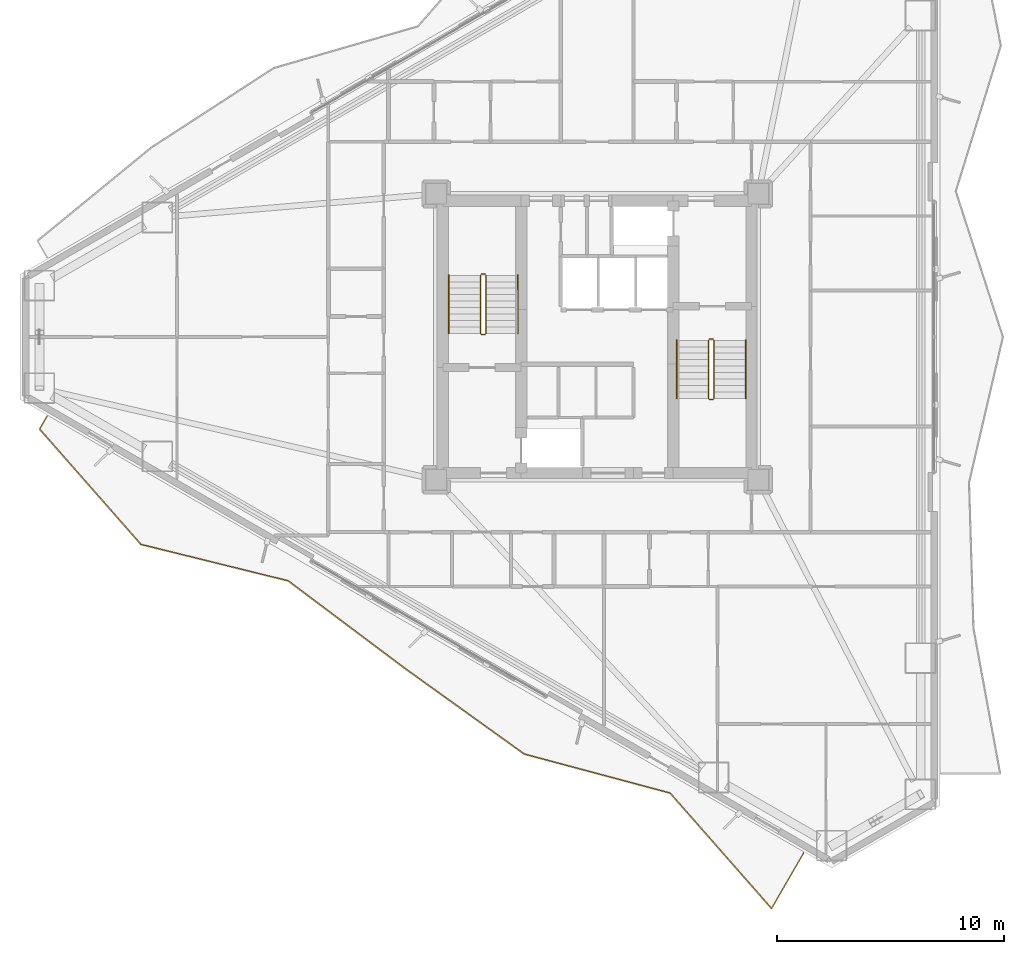
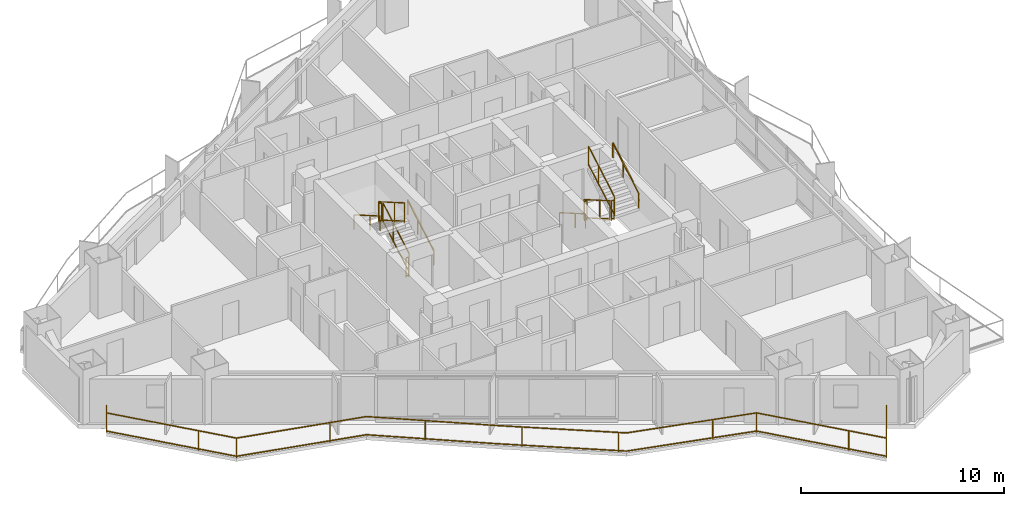
# One storey, part 18 of 19: 13 railings.
"""IFC4 building model written with IfcOpenShell, lengths in metres."""

from ifc_helpers import new_model, si_unit, direction, frame, origin, origin_2d, place, context, subcontext, project, spatial, rectangle, extrude, material, type_object, element, save


model = new_model("IFC4")

# Units and contexts
model_context = context("Model", 3, precision=1e-05, world=origin(), true_north=direction((0.0, 1.0)))
body_context = subcontext(model_context, "Body", "Model", "MODEL_VIEW")
ifc_project = project(units=[si_unit("LENGTHUNIT", "METRE"), si_unit("AREAUNIT", "SQUARE_METRE"), si_unit("VOLUMEUNIT", "CUBIC_METRE"), si_unit("PLANEANGLEUNIT", "RADIAN"), si_unit("MASSUNIT", "GRAM", prefix="KILO")], contexts=[model_context])

# Site, building, storey
site_placement = place(None, origin())
site = spatial("IfcSite", under=ifc_project, at=site_placement, CompositionType="ELEMENT")
building_placement = place(site_placement, origin())
building = spatial("IfcBuilding", under=site, at=building_placement, Name="Mersakhor Tower and Convention Hall", CompositionType="ELEMENT")
storey_placement = place(building_placement, frame((0.0, 0.0, 48.89990234375)))
storey = spatial("IfcBuildingStorey", under=building, at=storey_placement, Name="L13", CompositionType="ELEMENT", Elevation=48.89990234375)

# Railings
ifc_material_1 = material(Name="Powder-coated galvanised steel and laminated glass balustrade", Category="steel")
railing_type_1 = type_object("IfcRailingType", Name="RL-BAL-1200", PredefinedType="BALUSTRADE", material=ifc_material_1)
railing_1_placement = place(storey_placement, frame((4.75048828125, 23.256591796875, 0.0)))
element("IfcRailing", 1, at=railing_1_placement, inside=storey, type_object=railing_type_1, Name="L13 Sinusoidal Balcony Balustrade F3", PredefinedType="BALUSTRADE", context=body_context, shape_type="SweptSolid", body=[
    extrude(rectangle(XDim=0.048095703125, YDim=0.048095703125, at=origin_2d()), frame((0.0, 0.0, 1.17578125), z_axis=(-0.500058503878, -0.86599162392, 0.0), x_axis=(0.86599162392, -0.500058503878, 0.0)), (0.0, 0.0, 1.0), 0.64990234375),
    extrude(rectangle(XDim=0.048095703125, YDim=0.048095703125, at=origin_2d()), frame((0.0, 0.0, 0.080078125), z_axis=(-0.500058503878, -0.86599162392, 0.0), x_axis=(0.86599162392, -0.500058503878, 0.0)), (0.0, 0.0, 1.0), 0.64990234375),
    extrude(rectangle(XDim=0.048095703125, YDim=0.048095703125, at=origin_2d()), frame((-0.324951171875, -0.562744140625, 1.17578125), z_axis=(0.6602427576, -0.75105226252, 0.0), x_axis=(0.75105226252, 0.6602427576, 0.0)), (0.0, 0.0, 1.0), 6.77490234375),
    extrude(rectangle(XDim=0.048095703125, YDim=0.048095703125, at=origin_2d()), frame((-0.324951171875, -0.562744140625, 0.080078125), z_axis=(0.6602427576, -0.75105226252, 0.0), x_axis=(0.75105226252, 0.6602427576, 0.0)), (0.0, 0.0, 1.0), 6.77490234375),
    extrude(rectangle(XDim=0.048095703125, YDim=0.048095703125, at=origin_2d()), frame((4.148193359375, -5.651123046875, 1.17578125), z_axis=(0.97079249637, -0.239920672288, 0.0), x_axis=(0.239920672288, 0.97079249637, 0.0)), (0.0, 0.0, 1.0), 6.680419921875),
    extrude(rectangle(XDim=0.048095703125, YDim=0.048095703125, at=origin_2d()), frame((4.148193359375, -5.651123046875, 0.080078125), z_axis=(0.97079249637, -0.239920672288, 0.0), x_axis=(0.239920672288, 0.97079249637, 0.0)), (0.0, 0.0, 1.0), 6.680419921875),
    extrude(rectangle(XDim=0.048095703125, YDim=0.048095703125, at=origin_2d()), frame((10.633544921875, -7.25390625, 1.17578125), z_axis=(0.800086099683, -0.59988518326, 0.0), x_axis=(0.59988518326, 0.800086099683, 0.0)), (0.0, 0.0, 1.0), 6.46435546875),
    extrude(rectangle(XDim=0.048095703125, YDim=0.048095703125, at=origin_2d()), frame((10.633544921875, -7.25390625, 0.080078125), z_axis=(0.800086099683, -0.59988518326, 0.0), x_axis=(0.59988518326, 0.800086099683, 0.0)), (0.0, 0.0, 1.0), 6.46435546875),
    extrude(rectangle(XDim=0.048095703125, YDim=0.048095703125, at=origin_2d()), frame((15.8056640625, -11.1318359375, 1.17578125), z_axis=(0.812539809748, -0.582905702129, 0.0), x_axis=(0.582905702129, 0.812539809748, 0.0)), (0.0, 0.0, 1.0), 6.44921875),
    extrude(rectangle(XDim=0.048095703125, YDim=0.048095703125, at=origin_2d()), frame((15.8056640625, -11.1318359375, 0.080078125), z_axis=(0.812539809748, -0.582905702129, 0.0), x_axis=(0.582905702129, 0.812539809748, 0.0)), (0.0, 0.0, 1.0), 6.44921875),
    extrude(rectangle(XDim=0.048095703125, YDim=0.048095703125, at=origin_2d()), frame((21.0458984375, -14.89111328125, 1.17578125), z_axis=(0.966054215324, -0.258339414442, 0.0), x_axis=(0.258339414442, 0.966054215324, 0.0)), (0.0, 0.0, 1.0), 6.6455078125),
    extrude(rectangle(XDim=0.048095703125, YDim=0.048095703125, at=origin_2d()), frame((21.0458984375, -14.89111328125, 0.080078125), z_axis=(0.966054215324, -0.258339414442, 0.0), x_axis=(0.258339414442, 0.966054215324, 0.0)), (0.0, 0.0, 1.0), 6.6455078125),
    extrude(rectangle(XDim=0.048095703125, YDim=0.048095703125, at=origin_2d()), frame((27.4658203125, -16.60791015625, 1.17578125), z_axis=(0.660260627075, -0.751036553262, 0.0), x_axis=(0.751036553262, 0.660260627075, 0.0)), (0.0, 0.0, 1.0), 6.77490234375),
    extrude(rectangle(XDim=0.048095703125, YDim=0.048095703125, at=origin_2d()), frame((27.4658203125, -16.60791015625, 0.080078125), z_axis=(0.660260627075, -0.751036553262, 0.0), x_axis=(0.751036553262, 0.660260627075, 0.0)), (0.0, 0.0, 1.0), 6.77490234375),
    extrude(rectangle(XDim=0.048095703125, YDim=0.048095703125, at=origin_2d()), frame((31.93896484375, -21.696044921875, 1.17578125), z_axis=(0.500049687543, 0.865996714767, 0.0), x_axis=(-0.865996714767, 0.500049687543, 0.0)), (0.0, 0.0, 1.0), 2.820068359375),
    extrude(rectangle(XDim=0.048095703125, YDim=0.048095703125, at=origin_2d()), frame((31.93896484375, -21.696044921875, 0.080078125), z_axis=(0.500049687543, 0.865996714767, 0.0), x_axis=(-0.865996714767, 0.500049687543, 0.0)), (0.0, 0.0, 1.0), 2.820068359375),
    extrude(rectangle(XDim=0.0419921875, YDim=0.0419921875, at=origin_2d()), origin(), (0.0, 0.0, 1.0), 1.15185546875),
    extrude(rectangle(XDim=0.0419921875, YDim=0.0419921875, at=origin_2d()), frame((-0.324951171875, -0.562744140625, 0.0)), (0.0, 0.0, 1.0), 1.15185546875),
    extrude(rectangle(XDim=0.0419921875, YDim=0.0419921875, at=origin_2d()), frame((2.84423828125, -4.167724609375, 0.0)), (0.0, 0.0, 1.0), 1.15185546875),
    extrude(rectangle(XDim=0.0419921875, YDim=0.0419921875, at=origin_2d()), frame((4.148193359375, -5.651123046875, 0.0)), (0.0, 0.0, 1.0), 1.15185546875),
    extrude(rectangle(XDim=0.0419921875, YDim=0.0419921875, at=origin_2d()), frame((8.80810546875, -6.802734375, 0.0)), (0.0, 0.0, 1.0), 1.15185546875),
    extrude(rectangle(XDim=0.0419921875, YDim=0.0419921875, at=origin_2d()), frame((12.969482421875, -9.00537109375, 0.0)), (0.0, 0.0, 1.0), 1.15185546875),
    extrude(rectangle(XDim=0.0419921875, YDim=0.0419921875, at=origin_2d()), frame((16.825439453125, -11.863525390625, 0.0)), (0.0, 0.0, 1.0), 1.15185546875),
    extrude(rectangle(XDim=0.0419921875, YDim=0.0419921875, at=origin_2d()), frame((20.7255859375, -14.661376953125, 0.0)), (0.0, 0.0, 1.0), 1.15185546875),
    extrude(rectangle(XDim=0.0419921875, YDim=0.0419921875, at=origin_2d()), frame((25.30224609375, -16.029296875, 0.0)), (0.0, 0.0, 1.0), 1.15185546875),
    extrude(rectangle(XDim=0.0419921875, YDim=0.0419921875, at=origin_2d()), frame((27.4658203125, -16.60791015625, 0.0)), (0.0, 0.0, 1.0), 1.15185546875),
    extrude(rectangle(XDim=0.0419921875, YDim=0.0419921875, at=origin_2d()), frame((30.635009765625, -20.212890625, 0.0)), (0.0, 0.0, 1.0), 1.15185546875),
    extrude(rectangle(XDim=0.0419921875, YDim=0.0419921875, at=origin_2d()), frame((31.93896484375, -21.696044921875, 0.0)), (0.0, 0.0, 1.0), 1.15185546875),
    extrude(rectangle(XDim=0.0419921875, YDim=0.0419921875, at=origin_2d()), frame((33.34912109375, -19.25390625, 0.0)), (0.0, 0.0, 1.0), 1.15185546875),
])
ifc_material_2 = material(Name="Brushed stainless steel handrail", Category="steel")
railing_type_2 = type_object("IfcRailingType", Name="RL-HR-900", PredefinedType="HANDRAIL", material=ifc_material_2)
railing_2_placement = place(storey_placement, frame((25.5, 26.89990234375, 0.1650390625)))
element("IfcRailing", 2, at=railing_2_placement, inside=storey, type_object=railing_type_2, Name="L13 ST-1 stair handrail 1", PredefinedType="HANDRAIL", context=body_context, shape_type="SweptSolid", body=[
    extrude(rectangle(XDim=0.048095703125, YDim=0.048095703125, at=origin_2d()), frame((0.0, 0.0, 0.8759765625), z_axis=(0.0, 0.865426285481, 0.501036270542), x_axis=(-1.0, 0.0, 0.0)), (0.0, 0.0, 1.0), 2.964111328125),
    extrude(rectangle(XDim=0.0419921875, YDim=0.0419921875, at=origin_2d()), origin(), (0.0, 0.0, 1.0), 0.851806640625),
    extrude(rectangle(XDim=0.0419921875, YDim=0.0419921875, at=origin_2d()), frame((0.0, 1.557861328125, 0.90185546875)), (0.0, 0.0, 1.0), 0.851806640625),
    extrude(rectangle(XDim=0.0419921875, YDim=0.0419921875, at=origin_2d()), frame((0.0, 2.565185546875, 1.485107421875)), (0.0, 0.0, 1.0), 0.851806640625),
])
railing_3_placement = place(storey_placement, frame((22.449951171875, 29.465087890625, 1.815185546875)))
element("IfcRailing", 3, at=railing_3_placement, inside=storey, type_object=railing_type_2, Name="L13 ST-1 stair handrail 2", PredefinedType="HANDRAIL", context=body_context, shape_type="SweptSolid", body=[
    extrude(rectangle(XDim=0.048095703125, YDim=0.048095703125, at=origin_2d()), frame((0.0, 0.0, 0.8759765625), z_axis=(0.0, -0.865461999751, 0.500974577186), x_axis=(1.0, 0.0, 0.0)), (0.0, 0.0, 1.0), 2.9638671875),
    extrude(rectangle(XDim=0.0419921875, YDim=0.0419921875, at=origin_2d()), origin(), (0.0, 0.0, 1.0), 0.851806640625),
    extrude(rectangle(XDim=0.0419921875, YDim=0.0419921875, at=origin_2d()), frame((0.0, -1.557861328125, 0.90185546875)), (0.0, 0.0, 1.0), 0.851806640625),
    extrude(rectangle(XDim=0.0419921875, YDim=0.0419921875, at=origin_2d()), frame((0.0, -2.565185546875, 1.48486328125)), (0.0, 0.0, 1.0), 0.851806640625),
])
railing_4_placement = place(storey_placement, frame((32.5, 26.60009765625, 0.1650390625)))
element("IfcRailing", 4, at=railing_4_placement, inside=storey, type_object=railing_type_2, Name="L13 ST-2 stair handrail 1", PredefinedType="HANDRAIL", context=body_context, shape_type="SweptSolid", body=[
    extrude(rectangle(XDim=0.048095703125, YDim=0.048095703125, at=origin_2d()), frame((0.0, 0.0, 0.8759765625), z_axis=(0.0, -0.865426285481, 0.501036270542), x_axis=(1.0, 0.0, 0.0)), (0.0, 0.0, 1.0), 2.964111328125),
    extrude(rectangle(XDim=0.0419921875, YDim=0.0419921875, at=origin_2d()), origin(), (0.0, 0.0, 1.0), 0.851806640625),
    extrude(rectangle(XDim=0.0419921875, YDim=0.0419921875, at=origin_2d()), frame((0.0, -1.557861328125, 0.90185546875)), (0.0, 0.0, 1.0), 0.851806640625),
    extrude(rectangle(XDim=0.0419921875, YDim=0.0419921875, at=origin_2d()), frame((0.0, -2.565185546875, 1.485107421875)), (0.0, 0.0, 1.0), 0.851806640625),
])
railing_5_placement = place(storey_placement, frame((35.550048828125, 24.034912109375, 1.815185546875)))
element("IfcRailing", 5, at=railing_5_placement, inside=storey, type_object=railing_type_2, Name="L13 ST-2 stair handrail 2", PredefinedType="HANDRAIL", context=body_context, shape_type="SweptSolid", body=[
    extrude(rectangle(XDim=0.048095703125, YDim=0.048095703125, at=origin_2d()), frame((0.0, 0.0, 0.8759765625), z_axis=(0.0, 0.865461999751, 0.500974577186), x_axis=(-1.0, 0.0, 0.0)), (0.0, 0.0, 1.0), 2.9638671875),
    extrude(rectangle(XDim=0.0419921875, YDim=0.0419921875, at=origin_2d()), origin(), (0.0, 0.0, 1.0), 0.851806640625),
    extrude(rectangle(XDim=0.0419921875, YDim=0.0419921875, at=origin_2d()), frame((0.0, 1.557861328125, 0.90185546875)), (0.0, 0.0, 1.0), 0.851806640625),
    extrude(rectangle(XDim=0.0419921875, YDim=0.0419921875, at=origin_2d()), frame((0.0, 2.565185546875, 1.48486328125)), (0.0, 0.0, 1.0), 0.851806640625),
])
ifc_material_3 = material(Name="Painted steel stair balustrade S355", Category="steel")
railing_type_3 = type_object("IfcRailingType", Name="RL-STG-1200", PredefinedType="BALUSTRADE", material=ifc_material_3)
railing_6_placement = place(storey_placement, frame((24.10009765625, 26.89990234375, 0.1650390625)))
element("IfcRailing", 6, at=railing_6_placement, inside=storey, type_object=railing_type_3, Name="L13 ST-1 stair guard 1", PredefinedType="BALUSTRADE", context=body_context, shape_type="SweptSolid", body=[
    extrude(rectangle(XDim=0.048095703125, YDim=0.048095703125, at=origin_2d()), frame((0.0, 0.0, 1.17578125), z_axis=(0.0, 0.865426285481, 0.501036270542), x_axis=(-1.0, 0.0, 0.0)), (0.0, 0.0, 1.0), 2.964111328125),
    extrude(rectangle(XDim=0.048095703125, YDim=0.048095703125, at=origin_2d()), frame((0.0, 0.0, 0.080078125), z_axis=(0.0, 0.865426285481, 0.501036270542), x_axis=(-1.0, 0.0, 0.0)), (0.0, 0.0, 1.0), 2.964111328125),
    extrude(rectangle(XDim=0.0419921875, YDim=0.0419921875, at=origin_2d()), origin(), (0.0, 0.0, 1.0), 1.15185546875),
    extrude(rectangle(XDim=0.0419921875, YDim=0.0419921875, at=origin_2d()), frame((0.0, 1.557861328125, 0.90185546875)), (0.0, 0.0, 1.0), 1.15185546875),
    extrude(rectangle(XDim=0.0419921875, YDim=0.0419921875, at=origin_2d()), frame((0.0, 2.565185546875, 1.485107421875)), (0.0, 0.0, 1.0), 1.15185546875),
])
railing_7_placement = place(storey_placement, frame((24.050048828125, 29.514892578125, 1.650146484375)))
element("IfcRailing", 7, at=railing_7_placement, inside=storey, type_object=railing_type_3, Name="L13 ST-1 stair guard 2", PredefinedType="BALUSTRADE", context=body_context, shape_type="SweptSolid", body=[
    extrude(rectangle(XDim=0.048095703125, YDim=0.048095703125, at=origin_2d()), frame((0.0, 0.0, 1.17578125), z_axis=(-1.0, 0.0, 0.0), x_axis=(0.0, -1.0, 0.0)), (0.0, 0.0, 1.0), 0.150146484375),
    extrude(rectangle(XDim=0.048095703125, YDim=0.048095703125, at=origin_2d()), frame((0.0, 0.0, 0.080078125), z_axis=(-1.0, 0.0, 0.0), x_axis=(0.0, -1.0, 0.0)), (0.0, 0.0, 1.0), 0.150146484375),
    extrude(rectangle(XDim=0.0419921875, YDim=0.0419921875, at=origin_2d()), origin(), (0.0, 0.0, 1.0), 1.15185546875),
    extrude(rectangle(XDim=0.0419921875, YDim=0.0419921875, at=origin_2d()), frame((-0.150146484375, 0.0, 0.0)), (0.0, 0.0, 1.0), 1.15185546875),
])
railing_8_placement = place(storey_placement, frame((23.85009765625, 29.465087890625, 1.815185546875)))
element("IfcRailing", 8, at=railing_8_placement, inside=storey, type_object=railing_type_3, Name="L13 ST-1 stair guard 3", PredefinedType="BALUSTRADE", context=body_context, shape_type="SweptSolid", body=[
    extrude(rectangle(XDim=0.048095703125, YDim=0.048095703125, at=origin_2d()), frame((0.0, 0.0, 1.17578125), z_axis=(0.0, -0.865461999751, 0.500974577186), x_axis=(1.0, 0.0, 0.0)), (0.0, 0.0, 1.0), 2.9638671875),
    extrude(rectangle(XDim=0.048095703125, YDim=0.048095703125, at=origin_2d()), frame((0.0, 0.0, 0.080078125), z_axis=(0.0, -0.865461999751, 0.500974577186), x_axis=(1.0, 0.0, 0.0)), (0.0, 0.0, 1.0), 2.9638671875),
    extrude(rectangle(XDim=0.0419921875, YDim=0.0419921875, at=origin_2d()), origin(), (0.0, 0.0, 1.0), 1.15185546875),
    extrude(rectangle(XDim=0.0419921875, YDim=0.0419921875, at=origin_2d()), frame((0.0, -1.557861328125, 0.90185546875)), (0.0, 0.0, 1.0), 1.15185546875),
    extrude(rectangle(XDim=0.0419921875, YDim=0.0419921875, at=origin_2d()), frame((0.0, -2.565185546875, 1.48486328125)), (0.0, 0.0, 1.0), 1.15185546875),
])
railing_9_placement = place(storey_placement, frame((24.050048828125, 26.85009765625, 0.0)))
element("IfcRailing", 9, at=railing_9_placement, inside=storey, type_object=railing_type_3, Name="L13 ST-1 stair guard 4", PredefinedType="BALUSTRADE", context=body_context, shape_type="SweptSolid", body=[
    extrude(rectangle(XDim=0.048095703125, YDim=0.048095703125, at=origin_2d()), frame((0.0, 0.0, 1.17578125), z_axis=(-1.0, 0.0, 0.0), x_axis=(0.0, -1.0, 0.0)), (0.0, 0.0, 1.0), 0.150146484375),
    extrude(rectangle(XDim=0.048095703125, YDim=0.048095703125, at=origin_2d()), frame((0.0, 0.0, 0.080078125), z_axis=(-1.0, 0.0, 0.0), x_axis=(0.0, -1.0, 0.0)), (0.0, 0.0, 1.0), 0.150146484375),
    extrude(rectangle(XDim=0.0419921875, YDim=0.0419921875, at=origin_2d()), origin(), (0.0, 0.0, 1.0), 1.15185546875),
    extrude(rectangle(XDim=0.0419921875, YDim=0.0419921875, at=origin_2d()), frame((-0.150146484375, 0.0, 0.0)), (0.0, 0.0, 1.0), 1.15185546875),
])
railing_10_placement = place(storey_placement, frame((33.89990234375, 26.60009765625, 0.1650390625)))
element("IfcRailing", 10, at=railing_10_placement, inside=storey, type_object=railing_type_3, Name="L13 ST-2 stair guard 1", PredefinedType="BALUSTRADE", context=body_context, shape_type="SweptSolid", body=[
    extrude(rectangle(XDim=0.048095703125, YDim=0.048095703125, at=origin_2d()), frame((0.0, 0.0, 1.17578125), z_axis=(0.0, -0.865426285481, 0.501036270542), x_axis=(1.0, 0.0, 0.0)), (0.0, 0.0, 1.0), 2.964111328125),
    extrude(rectangle(XDim=0.048095703125, YDim=0.048095703125, at=origin_2d()), frame((0.0, 0.0, 0.080078125), z_axis=(0.0, -0.865426285481, 0.501036270542), x_axis=(1.0, 0.0, 0.0)), (0.0, 0.0, 1.0), 2.964111328125),
    extrude(rectangle(XDim=0.0419921875, YDim=0.0419921875, at=origin_2d()), origin(), (0.0, 0.0, 1.0), 1.15185546875),
    extrude(rectangle(XDim=0.0419921875, YDim=0.0419921875, at=origin_2d()), frame((0.0, -1.557861328125, 0.90185546875)), (0.0, 0.0, 1.0), 1.15185546875),
    extrude(rectangle(XDim=0.0419921875, YDim=0.0419921875, at=origin_2d()), frame((0.0, -2.565185546875, 1.485107421875)), (0.0, 0.0, 1.0), 1.15185546875),
])
railing_11_placement = place(storey_placement, frame((33.949951171875, 23.985107421875, 1.650146484375)))
element("IfcRailing", 11, at=railing_11_placement, inside=storey, type_object=railing_type_3, Name="L13 ST-2 stair guard 2", PredefinedType="BALUSTRADE", context=body_context, shape_type="SweptSolid", body=[
    extrude(rectangle(XDim=0.048095703125, YDim=0.048095703125, at=origin_2d()), frame((0.0, 0.0, 1.17578125), z_axis=(1.0, 0.0, 0.0), x_axis=(0.0, 1.0, 0.0)), (0.0, 0.0, 1.0), 0.150146484375),
    extrude(rectangle(XDim=0.048095703125, YDim=0.048095703125, at=origin_2d()), frame((0.0, 0.0, 0.080078125), z_axis=(1.0, 0.0, 0.0), x_axis=(0.0, 1.0, 0.0)), (0.0, 0.0, 1.0), 0.150146484375),
    extrude(rectangle(XDim=0.0419921875, YDim=0.0419921875, at=origin_2d()), origin(), (0.0, 0.0, 1.0), 1.15185546875),
    extrude(rectangle(XDim=0.0419921875, YDim=0.0419921875, at=origin_2d()), frame((0.150146484375, 0.0, 0.0)), (0.0, 0.0, 1.0), 1.15185546875),
])
railing_12_placement = place(storey_placement, frame((34.14990234375, 24.034912109375, 1.815185546875)))
element("IfcRailing", 12, at=railing_12_placement, inside=storey, type_object=railing_type_3, Name="L13 ST-2 stair guard 3", PredefinedType="BALUSTRADE", context=body_context, shape_type="SweptSolid", body=[
    extrude(rectangle(XDim=0.048095703125, YDim=0.048095703125, at=origin_2d()), frame((0.0, 0.0, 1.17578125), z_axis=(0.0, 0.865461999751, 0.500974577186), x_axis=(-1.0, 0.0, 0.0)), (0.0, 0.0, 1.0), 2.9638671875),
    extrude(rectangle(XDim=0.048095703125, YDim=0.048095703125, at=origin_2d()), frame((0.0, 0.0, 0.080078125), z_axis=(0.0, 0.865461999751, 0.500974577186), x_axis=(-1.0, 0.0, 0.0)), (0.0, 0.0, 1.0), 2.9638671875),
    extrude(rectangle(XDim=0.0419921875, YDim=0.0419921875, at=origin_2d()), origin(), (0.0, 0.0, 1.0), 1.15185546875),
    extrude(rectangle(XDim=0.0419921875, YDim=0.0419921875, at=origin_2d()), frame((0.0, 1.557861328125, 0.90185546875)), (0.0, 0.0, 1.0), 1.15185546875),
    extrude(rectangle(XDim=0.0419921875, YDim=0.0419921875, at=origin_2d()), frame((0.0, 2.565185546875, 1.48486328125)), (0.0, 0.0, 1.0), 1.15185546875),
])
railing_13_placement = place(storey_placement, frame((33.949951171875, 26.64990234375, 0.0)))
element("IfcRailing", 13, at=railing_13_placement, inside=storey, type_object=railing_type_3, Name="L13 ST-2 stair guard 4", PredefinedType="BALUSTRADE", context=body_context, shape_type="SweptSolid", body=[
    extrude(rectangle(XDim=0.048095703125, YDim=0.048095703125, at=origin_2d()), frame((0.0, 0.0, 1.17578125), z_axis=(1.0, 0.0, 0.0), x_axis=(0.0, 1.0, 0.0)), (0.0, 0.0, 1.0), 0.150146484375),
    extrude(rectangle(XDim=0.048095703125, YDim=0.048095703125, at=origin_2d()), frame((0.0, 0.0, 0.080078125), z_axis=(1.0, 0.0, 0.0), x_axis=(0.0, 1.0, 0.0)), (0.0, 0.0, 1.0), 0.150146484375),
    extrude(rectangle(XDim=0.0419921875, YDim=0.0419921875, at=origin_2d()), origin(), (0.0, 0.0, 1.0), 1.15185546875),
    extrude(rectangle(XDim=0.0419921875, YDim=0.0419921875, at=origin_2d()), frame((0.150146484375, 0.0, 0.0)), (0.0, 0.0, 1.0), 1.15185546875),
])

save(model, "model.ifc")
